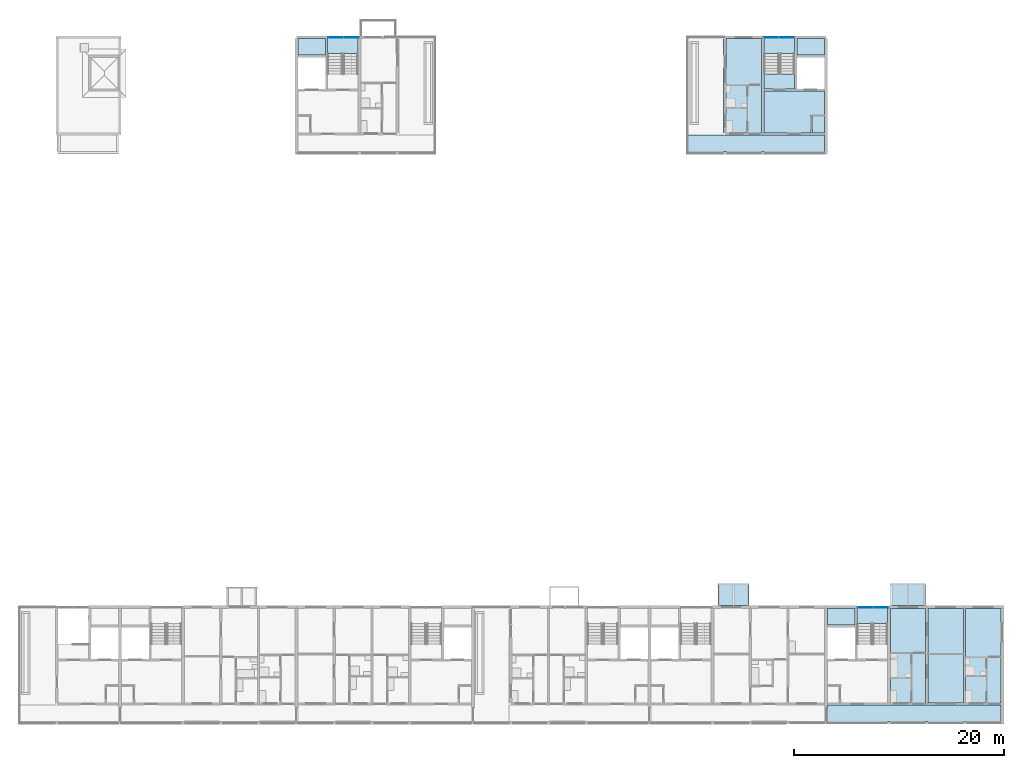
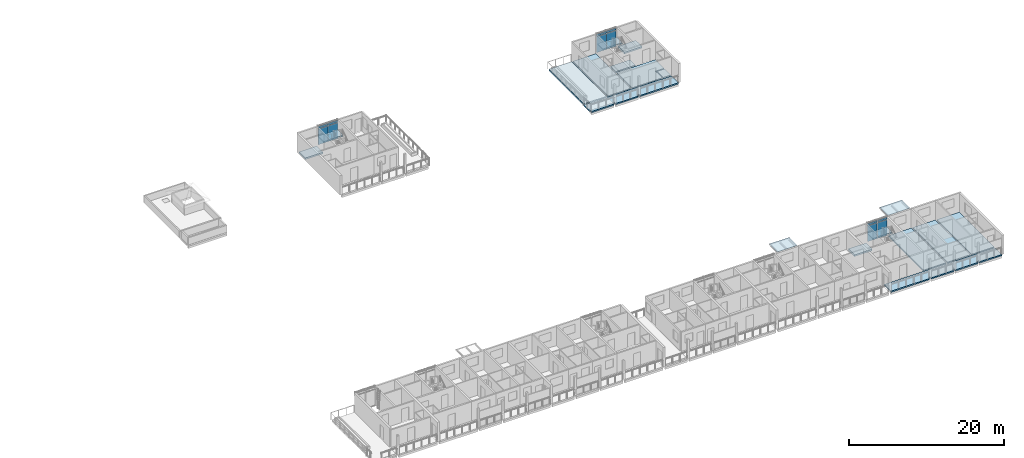
# One storey, part 22 of 64: 18 slabs, 12 plates, 6 elements without a shape of their own.
"""IFC4 building model written with IfcOpenShell, lengths in metres."""

from ifc_helpers import new_model, si_unit, direction, frame, origin, origin_2d, place, context, subcontext, project, spatial, polyline, rectangle, outline, extrude, material, layer, layer_set, type_object, element, aggregate, save


model = new_model("IFC4")

# Units and contexts
model_context = context("Model", 3, precision=1e-05, world=origin(), true_north=direction((0.0, 1.0)))
body_context = subcontext(model_context, "Body", "Model", "MODEL_VIEW")
ifc_project = project(units=[si_unit("LENGTHUNIT", "METRE"), si_unit("AREAUNIT", "SQUARE_METRE"), si_unit("VOLUMEUNIT", "CUBIC_METRE"), si_unit("PLANEANGLEUNIT", "RADIAN"), si_unit("MASSUNIT", "GRAM", prefix="KILO")], contexts=[model_context])

# Site, building, storey
site_placement = place(None, origin())
site = spatial("IfcSite", under=ifc_project, at=site_placement, CompositionType="ELEMENT")
building_placement = place(site_placement, origin())
building = spatial("IfcBuilding", under=site, at=building_placement, Name="Ridgestep Commons", CompositionType="ELEMENT")
storey_placement = place(building_placement, frame((0.0, 0.0, 33.0)))
storey = spatial("IfcBuildingStorey", under=building, at=storey_placement, Name="L11", CompositionType="ELEMENT", Elevation=33.0)

# Slabs
ifc_material_1 = material(Name="Precast concrete C40/50", Category="concrete")
ifc_layer_1 = layer(ifc_material_1, 0.199951171875)
ifc_layer_set_1 = layer_set([ifc_layer_1], Name="Gallery slab 200")
slab_type_1 = type_object("IfcSlabType", Name="Gallery slab 200", PredefinedType="FLOOR", material=ifc_layer_set_1)
slab_1_placement = place(storey_placement, frame((0.0, 0.0, -0.199951171875)))
element("IfcSlab", 1, at=slab_1_placement, inside=storey, type_object=slab_type_1, Name="Gallery slab C5 L11", PredefinedType="FLOOR", context=body_context, shape_type="SweptSolid", body=[
    extrude(outline(polyline([(230.64990234375, 66.0), (230.64990234375, 67.800048828125), (217.60009765625, 67.800048828125), (217.60009765625, 66.25), (217.72509765625, 66.25), (217.72509765625, 66.0), (221.074951171875, 66.0), (221.074951171875, 66.25), (221.324951171875, 66.25), (221.324951171875, 66.0), (224.675048828125, 66.0), (224.675048828125, 66.25), (224.925048828125, 66.25), (224.925048828125, 66.0), (230.64990234375, 66.0)])), origin(), (0.0, 0.0, 1.0), 0.199951171875),
])
slab_2_placement = place(storey_placement, frame((0.0, 0.0, -0.199951171875)))
element("IfcSlab", 2, at=slab_2_placement, inside=storey, type_object=slab_type_1, Name="Gallery slab D6 L11", PredefinedType="FLOOR", context=body_context, shape_type="SweptSolid", body=[
    extrude(outline(polyline([(247.449951171875, 13.550048828125), (230.949951171875, 13.550048828125), (230.949951171875, 11.75), (236.675048828125, 11.75), (236.675048828125, 12.0), (236.925048828125, 12.0), (236.925048828125, 11.75), (240.27490234375, 11.75), (240.27490234375, 12.0), (240.52490234375, 12.0), (240.52490234375, 11.75), (243.875, 11.75), (243.875, 12.0), (244.125, 12.0), (244.125, 11.75), (247.449951171875, 11.75), (247.449951171875, 13.550048828125)])), origin(), (0.0, 0.0, 1.0), 0.199951171875),
])

# Curtain wall, plates
ifc_material_2 = material(Name="Aluminium 6063-T6 and glass", Category="aluminium")
curtain_wall_type = type_object("IfcCurtainWallType", Name="Curtain wall stair strip", PredefinedType="NOTDEFINED", material=ifc_material_2)
curtain_wall_1_placement = place(storey_placement, origin())
curtain_wall_1 = element("IfcCurtainWall", 3, at=curtain_wall_1_placement, inside=storey, type_object=curtain_wall_type, Name="Curtain wall D6C level 11", PredefinedType="NOTDEFINED")
ifc_material_3 = material(Name="Glass laminated 6/16/6 low-emissivity", Category="glass")
ifc_layer_2 = layer(ifc_material_3, 0.028076171875)
ifc_layer_set_2 = layer_set([ifc_layer_2], Name="Glazing panel 28")
plate_type_1 = type_object("IfcPlateType", Name="Glazing panel 28", PredefinedType="CURTAIN_PANEL", material=ifc_layer_set_2)
plate_1_placement = place(storey_placement, frame((234.546142578125, 22.830078125, 0.06005859375), z_axis=(0.0, 0.0, 1.0), x_axis=(1.0, 0.0, 0.0)))
plate_1 = element("IfcPlate", 4, at=plate_1_placement, type_object=plate_type_1, Name="CW1 panel 1.1", PredefinedType="CURTAIN_PANEL", context=body_context, shape_type="SweptSolid", body=[
    extrude(rectangle(XDim=1.422607421875, YDim=0.028076171875, at=origin_2d()), origin(), (0.0, 0.0, 1.0), 2.5),
])
plate_2_placement = place(storey_placement, frame((236.02880859375, 22.830078125, 0.06005859375), z_axis=(0.0, 0.0, 1.0), x_axis=(1.0, 0.0, 0.0)))
plate_2 = element("IfcPlate", 5, at=plate_2_placement, type_object=plate_type_1, Name="CW1 panel 2.1", PredefinedType="CURTAIN_PANEL", context=body_context, shape_type="SweptSolid", body=[
    extrude(rectangle(XDim=1.422607421875, YDim=0.028076171875, at=origin_2d()), origin(), (0.0, 0.0, 1.0), 2.5),
])

curtain_wall_2_placement = place(storey_placement, origin())
curtain_wall_2 = element("IfcCurtainWall", 6, at=curtain_wall_2_placement, inside=storey, type_object=curtain_wall_type, Name="Curtain wall C3C level 11", PredefinedType="NOTDEFINED")
plate_3_placement = place(storey_placement, frame((184.146240234375, 77.080078125, 0.06005859375), z_axis=(0.0, 0.0, 1.0), x_axis=(1.0, 0.0, 0.0)))
plate_3 = element("IfcPlate", 7, at=plate_3_placement, type_object=plate_type_1, Name="CW1 panel 1.1", PredefinedType="CURTAIN_PANEL", context=body_context, shape_type="SweptSolid", body=[
    extrude(rectangle(XDim=1.422607421875, YDim=0.028076171875, at=origin_2d()), origin(), (0.0, 0.0, 1.0), 2.5),
])
plate_4_placement = place(storey_placement, frame((185.628662109375, 77.080078125, 0.06005859375), z_axis=(0.0, 0.0, 1.0), x_axis=(1.0, 0.0, 0.0)))
plate_4 = element("IfcPlate", 8, at=plate_4_placement, type_object=plate_type_1, Name="CW1 panel 2.1", PredefinedType="CURTAIN_PANEL", context=body_context, shape_type="SweptSolid", body=[
    extrude(rectangle(XDim=1.422607421875, YDim=0.028076171875, at=origin_2d()), origin(), (0.0, 0.0, 1.0), 2.5),
])

curtain_wall_3_placement = place(storey_placement, origin())
curtain_wall_3 = element("IfcCurtainWall", 9, at=curtain_wall_3_placement, inside=storey, type_object=curtain_wall_type, Name="Curtain wall C5C level 11", PredefinedType="NOTDEFINED")
plate_5_placement = place(storey_placement, frame((225.5712890625, 77.080078125, 0.06005859375), z_axis=(0.0, 0.0, 1.0), x_axis=(1.0, 0.0, 0.0)))
plate_5 = element("IfcPlate", 10, at=plate_5_placement, type_object=plate_type_1, Name="CW1 panel 1.1", PredefinedType="CURTAIN_PANEL", context=body_context, shape_type="SweptSolid", body=[
    extrude(rectangle(XDim=1.422607421875, YDim=0.028076171875, at=origin_2d()), origin(), (0.0, 0.0, 1.0), 2.5),
])
plate_6_placement = place(storey_placement, frame((227.0537109375, 77.080078125, 0.06005859375), z_axis=(0.0, 0.0, 1.0), x_axis=(1.0, 0.0, 0.0)))
plate_6 = element("IfcPlate", 11, at=plate_6_placement, type_object=plate_type_1, Name="CW1 panel 2.1", PredefinedType="CURTAIN_PANEL", context=body_context, shape_type="SweptSolid", body=[
    extrude(rectangle(XDim=1.422607421875, YDim=0.028076171875, at=origin_2d()), origin(), (0.0, 0.0, 1.0), 2.5),
])

# Slabs
ifc_material_4 = material(Name="Precast concrete C50/60", Category="concrete")
ifc_layer_3 = layer(ifc_material_4, 0.199951171875)
ifc_layer_set_3 = layer_set([ifc_layer_3], Name="Hollow-core plank 200")
slab_type_2 = type_object("IfcSlabType", Name="Hollow-core plank 200", PredefinedType="FLOOR", material=ifc_layer_set_3)
slab_3_placement = place(storey_placement, frame((0.0, 0.0, -0.199951171875)))
element("IfcSlab", 12, at=slab_3_placement, inside=storey, type_object=slab_type_2, Name="Floor plank C5T3 L11", PredefinedType="FLOOR", context=body_context, shape_type="SweptSolid", body=[
    extrude(outline(polyline([(224.675048828125, 68.0), (224.675048828125, 77.0), (221.300048828125, 77.0), (221.300048828125, 68.0), (224.675048828125, 68.0)])), origin(), (0.0, 0.0, 1.0), 0.199951171875),
])
slab_4_placement = place(storey_placement, frame((0.0, 0.0, -0.199951171875)))
element("IfcSlab", 13, at=slab_4_placement, inside=storey, type_object=slab_type_2, Name="Floor plank D6T3 L11", PredefinedType="FLOOR", context=body_context, shape_type="SweptSolid", body=[
    extrude(outline(polyline([(240.300048828125, 13.75), (240.300048828125, 22.75), (236.925048828125, 22.75), (236.925048828125, 13.75), (240.300048828125, 13.75)])), origin(), (0.0, 0.0, 1.0), 0.199951171875),
])
slab_5_placement = place(storey_placement, frame((0.0, 0.0, -0.199951171875)))
element("IfcSlab", 14, at=slab_5_placement, inside=storey, type_object=slab_type_2, Name="Floor plank D6T2 L11", PredefinedType="FLOOR", context=body_context, shape_type="SweptSolid", body=[
    extrude(outline(polyline([(243.89990234375, 13.75), (243.89990234375, 22.75), (240.5, 22.75), (240.5, 13.75), (243.89990234375, 13.75)])), origin(), (0.0, 0.0, 1.0), 0.199951171875),
])
slab_6_placement = place(storey_placement, frame((0.0, 0.0, -0.199951171875)))
element("IfcSlab", 15, at=slab_6_placement, inside=storey, type_object=slab_type_2, Name="Floor plank D6T1 L11", PredefinedType="FLOOR", context=body_context, shape_type="SweptSolid", body=[
    extrude(outline(polyline([(247.449951171875, 13.75), (247.449951171875, 22.75), (244.10009765625, 22.75), (244.10009765625, 13.75), (247.449951171875, 13.75)])), origin(), (0.0, 0.0, 1.0), 0.199951171875),
])
ifc_material_5 = material(Name="Precast concrete C50/60", Category="concrete")
ifc_layer_4 = layer(ifc_material_5, 0.25)
ifc_layer_set_4 = layer_set([ifc_layer_4], Name="Hollow-core plank 250")
slab_type_3 = type_object("IfcSlabType", Name="Hollow-core plank 250", PredefinedType="FLOOR", material=ifc_layer_set_4)
slab_7_placement = place(storey_placement, frame((0.0, 0.0, -0.25)))
element("IfcSlab", 16, at=slab_7_placement, inside=storey, type_object=slab_type_3, Name="Floor plank C3C L11", PredefinedType="FLOOR", context=body_context, shape_type="SweptSolid", body=[
    extrude(outline(polyline([(183.175048828125, 77.0), (180.550048828125, 77.0), (180.550048828125, 75.39990234375), (183.175048828125, 75.39990234375), (183.175048828125, 77.0)])), origin(), (0.0, 0.0, 1.0), 0.25),
])
slab_8_placement = place(storey_placement, frame((0.0, 0.0, -0.25)))
element("IfcSlab", 17, at=slab_8_placement, inside=storey, type_object=slab_type_3, Name="Floor plank C5C L11", PredefinedType="FLOOR", context=body_context, shape_type="SweptSolid", body=[
    extrude(outline(polyline([(229.52001953125, 69.719970703125), (230.64990234375, 69.719970703125), (230.64990234375, 72.0), (224.925048828125, 72.0), (224.925048828125, 68.0), (229.39990234375, 68.0), (229.39990234375, 69.719970703125), (229.52001953125, 69.719970703125)])), origin(), (0.0, 0.0, 1.0), 0.25),
])
slab_9_placement = place(storey_placement, frame((0.0, 0.0, -0.25)))
element("IfcSlab", 18, at=slab_9_placement, inside=storey, type_object=slab_type_3, Name="Floor plank C5C L11", PredefinedType="FLOOR", context=body_context, shape_type="SweptSolid", body=[
    extrude(outline(polyline([(230.64990234375, 75.39990234375), (230.64990234375, 77.0), (228.02490234375, 77.0), (228.02490234375, 75.39990234375), (230.64990234375, 75.39990234375)])), origin(), (0.0, 0.0, 1.0), 0.25),
])
slab_10_placement = place(storey_placement, frame((0.0, 0.0, -0.25)))
element("IfcSlab", 19, at=slab_10_placement, inside=storey, type_object=slab_type_3, Name="Floor plank C5C L11", PredefinedType="FLOOR", context=body_context, shape_type="SweptSolid", body=[
    extrude(outline(polyline([(227.824951171875, 72.199951171875), (227.824951171875, 73.60009765625), (224.925048828125, 73.60009765625), (224.925048828125, 72.199951171875), (227.824951171875, 72.199951171875)])), origin(), (0.0, 0.0, 1.0), 0.25),
])
slab_11_placement = place(storey_placement, frame((0.0, 0.0, -0.25)))
element("IfcSlab", 20, at=slab_11_placement, inside=storey, type_object=slab_type_3, Name="Floor plank C5C L11", PredefinedType="FLOOR", context=body_context, shape_type="SweptSolid", body=[
    extrude(outline(polyline([(229.52001953125, 68.0), (230.64990234375, 68.0), (230.64990234375, 69.60009765625), (229.52001953125, 69.60009765625), (229.52001953125, 68.0)])), origin(), (0.0, 0.0, 1.0), 0.25),
])
slab_12_placement = place(storey_placement, frame((0.0, 0.0, -0.25)))
element("IfcSlab", 21, at=slab_12_placement, inside=storey, type_object=slab_type_3, Name="Floor plank D6C L11", PredefinedType="FLOOR", context=body_context, shape_type="SweptSolid", body=[
    extrude(outline(polyline([(233.574951171875, 22.75), (230.949951171875, 22.75), (230.949951171875, 21.14990234375), (233.574951171875, 21.14990234375), (233.574951171875, 22.75)])), origin(), (0.0, 0.0, 1.0), 0.25),
])
ifc_material_6 = material(Name="Precast concrete C50/60", Category="concrete")
ifc_layer_5 = layer(ifc_material_6, 0.25)
ifc_layer_set_5 = layer_set([ifc_layer_5], Name="Roof slab 250")
slab_type_4 = type_object("IfcSlabType", Name="Roof slab 250", PredefinedType="ROOF", material=ifc_layer_set_5)
slab_13_placement = place(storey_placement, frame((0.0, 0.0, -0.25)))
element("IfcSlab", 22, at=slab_13_placement, inside=storey, type_object=slab_type_4, Name="Terrace slab C5T2", PredefinedType="ROOF", context=body_context, shape_type="SweptSolid", body=[
    extrude(outline(polyline([(221.10009765625, 68.0), (221.10009765625, 77.0), (217.699951171875, 77.0), (217.699951171875, 68.0), (221.10009765625, 68.0)])), origin(), (0.0, 0.0, 1.0), 0.25),
])

# Plate
ifc_material_7 = material(Name="Aluminium 6063-T6 and mineral wool", Category="aluminium")
ifc_layer_6 = layer(ifc_material_7, 0.0400390625)
ifc_layer_set_6 = layer_set([ifc_layer_6], Name="Spandrel panel 40")
plate_type_2 = type_object("IfcPlateType", Name="Spandrel panel 40", PredefinedType="CURTAIN_PANEL", material=ifc_layer_set_6)
plate_7_placement = place(storey_placement, frame((234.546142578125, 22.830078125, 2.6201171875), z_axis=(0.0, 0.0, 1.0), x_axis=(1.0, 0.0, 0.0)))
plate_7 = element("IfcPlate", 23, at=plate_7_placement, type_object=plate_type_2, Name="CW1 panel 1.2", PredefinedType="CURTAIN_PANEL", context=body_context, shape_type="SweptSolid", body=[
    extrude(rectangle(XDim=1.422607421875, YDim=0.0400390625, at=origin_2d()), origin(), (0.0, 0.0, 1.0), 0.320068359375),
])

plate_8_placement = place(storey_placement, frame((236.02880859375, 22.830078125, 2.6201171875), z_axis=(0.0, 0.0, 1.0), x_axis=(1.0, 0.0, 0.0)))
plate_8 = element("IfcPlate", 24, at=plate_8_placement, type_object=plate_type_2, Name="CW1 panel 2.2", PredefinedType="CURTAIN_PANEL", context=body_context, shape_type="SweptSolid", body=[
    extrude(rectangle(XDim=1.422607421875, YDim=0.0400390625, at=origin_2d()), origin(), (0.0, 0.0, 1.0), 0.320068359375),
])

aggregate(curtain_wall_1, [plate_1, plate_7, plate_2, plate_8])

plate_9_placement = place(storey_placement, frame((184.146240234375, 77.080078125, 2.6201171875), z_axis=(0.0, 0.0, 1.0), x_axis=(1.0, 0.0, 0.0)))
plate_9 = element("IfcPlate", 25, at=plate_9_placement, type_object=plate_type_2, Name="CW1 panel 1.2", PredefinedType="CURTAIN_PANEL", context=body_context, shape_type="SweptSolid", body=[
    extrude(rectangle(XDim=1.422607421875, YDim=0.0400390625, at=origin_2d()), origin(), (0.0, 0.0, 1.0), 0.320068359375),
])

plate_10_placement = place(storey_placement, frame((185.628662109375, 77.080078125, 2.6201171875), z_axis=(0.0, 0.0, 1.0), x_axis=(1.0, 0.0, 0.0)))
plate_10 = element("IfcPlate", 26, at=plate_10_placement, type_object=plate_type_2, Name="CW1 panel 2.2", PredefinedType="CURTAIN_PANEL", context=body_context, shape_type="SweptSolid", body=[
    extrude(rectangle(XDim=1.422607421875, YDim=0.0400390625, at=origin_2d()), origin(), (0.0, 0.0, 1.0), 0.320068359375),
])

aggregate(curtain_wall_2, [plate_3, plate_9, plate_4, plate_10])

plate_11_placement = place(storey_placement, frame((225.5712890625, 77.080078125, 2.6201171875), z_axis=(0.0, 0.0, 1.0), x_axis=(1.0, 0.0, 0.0)))
plate_11 = element("IfcPlate", 27, at=plate_11_placement, type_object=plate_type_2, Name="CW1 panel 1.2", PredefinedType="CURTAIN_PANEL", context=body_context, shape_type="SweptSolid", body=[
    extrude(rectangle(XDim=1.422607421875, YDim=0.0400390625, at=origin_2d()), origin(), (0.0, 0.0, 1.0), 0.320068359375),
])

plate_12_placement = place(storey_placement, frame((227.0537109375, 77.080078125, 2.6201171875), z_axis=(0.0, 0.0, 1.0), x_axis=(1.0, 0.0, 0.0)))
plate_12 = element("IfcPlate", 28, at=plate_12_placement, type_object=plate_type_2, Name="CW1 panel 2.2", PredefinedType="CURTAIN_PANEL", context=body_context, shape_type="SweptSolid", body=[
    extrude(rectangle(XDim=1.422607421875, YDim=0.0400390625, at=origin_2d()), origin(), (0.0, 0.0, 1.0), 0.320068359375),
])

aggregate(curtain_wall_3, [plate_5, plate_11, plate_6, plate_12])

# Stair, slab
ifc_material_8 = material(Name="Precast concrete C40/50", Category="concrete")
stair_type = type_object("IfcStairType", Name="Escape stair 1400", PredefinedType="HALF_TURN_STAIR", material=ifc_material_8)
stair_1_placement = place(storey_placement, origin())
stair_1 = element("IfcStair", 29, at=stair_1_placement, inside=storey, type_object=stair_type, Name="L11 Escape stair C3C", PredefinedType="HALF_TURN_STAIR")
ifc_material_9 = material(Name="Precast concrete C40/50", Category="concrete")
ifc_layer_7 = layer(ifc_material_9, 0.199951171875)
ifc_layer_set_7 = layer_set([ifc_layer_7], Name="Stair landing 200")
slab_type_5 = type_object("IfcSlabType", Name="Stair landing 200", PredefinedType="LANDING", material=ifc_layer_set_7)
slab_14_placement = place(storey_placement, frame((0.0, 0.0, 1.300048828125)))
slab_14 = element("IfcSlab", 30, at=slab_14_placement, type_object=slab_type_5, Name="C3C landing 1", PredefinedType="LANDING", context=body_context, shape_type="SweptSolid", body=[
    extrude(outline(polyline([(186.27490234375, 75.56005859375), (186.27490234375, 77.0), (183.375, 77.0), (183.375, 75.56005859375), (186.27490234375, 75.56005859375)])), origin(), (0.0, 0.0, 1.0), 0.199951171875),
])
aggregate(stair_1, [slab_14])

stair_2_placement = place(storey_placement, origin())
stair_2 = element("IfcStair", 31, at=stair_2_placement, inside=storey, type_object=stair_type, Name="L11 Escape stair C5C", PredefinedType="HALF_TURN_STAIR")
slab_15_placement = place(storey_placement, frame((0.0, 0.0, 1.300048828125)))
slab_15 = element("IfcSlab", 32, at=slab_15_placement, type_object=slab_type_5, Name="C5C landing 1", PredefinedType="LANDING", context=body_context, shape_type="SweptSolid", body=[
    extrude(outline(polyline([(227.824951171875, 75.56005859375), (227.824951171875, 77.0), (224.925048828125, 77.0), (224.925048828125, 75.56005859375), (227.824951171875, 75.56005859375)])), origin(), (0.0, 0.0, 1.0), 0.199951171875),
])
aggregate(stair_2, [slab_15])

stair_3_placement = place(storey_placement, origin())
stair_3 = element("IfcStair", 33, at=stair_3_placement, inside=storey, type_object=stair_type, Name="L11 Escape stair D6C", PredefinedType="HALF_TURN_STAIR")
slab_16_placement = place(storey_placement, frame((0.0, 0.0, 1.300048828125)))
slab_16 = element("IfcSlab", 34, at=slab_16_placement, type_object=slab_type_5, Name="D6C landing 1", PredefinedType="LANDING", context=body_context, shape_type="SweptSolid", body=[
    extrude(outline(polyline([(236.675048828125, 21.31005859375), (236.675048828125, 22.75), (233.77490234375, 22.75), (233.77490234375, 21.31005859375), (236.675048828125, 21.31005859375)])), origin(), (0.0, 0.0, 1.0), 0.199951171875),
])
aggregate(stair_3, [slab_16])

# Slabs
ifc_material_10 = material(Name="Weathering steel S355J2W", Category="steel")
ifc_layer_8 = layer(ifc_material_10, 0.010009765625)
ifc_layer_set_8 = layer_set([ifc_layer_8], Name="Tray 3.0 x 2.1")
slab_type_6 = type_object("IfcSlabType", Name="Tray 3.0 x 2.1", PredefinedType="FLOOR", material=ifc_layer_set_8)
slab_17_placement = place(storey_placement, frame((0.0, 0.0, 2.989990234375)))
element("IfcSlab", 35, at=slab_17_placement, inside=storey, type_object=slab_type_6, Name="Tray deck D5T3-12", PredefinedType="FLOOR", context=body_context, shape_type="SweptSolid", body=[
    extrude(outline(polyline([(220.530029296875, 23.0), (223.469970703125, 23.0), (223.469970703125, 25.10009765625), (220.530029296875, 25.10009765625), (220.530029296875, 23.0)])), origin(), (0.0, 0.0, 1.0), 0.010009765625),
])
ifc_material_11 = material(Name="Weathering steel S355J2W", Category="steel")
ifc_layer_9 = layer(ifc_material_11, 0.010009765625)
ifc_layer_set_9 = layer_set([ifc_layer_9], Name="Tray 3.4 x 2.1")
slab_type_7 = type_object("IfcSlabType", Name="Tray 3.4 x 2.1", PredefinedType="FLOOR", material=ifc_layer_set_9)
slab_18_placement = place(storey_placement, frame((0.0, 0.0, 2.989990234375)))
element("IfcSlab", 36, at=slab_18_placement, inside=storey, type_object=slab_type_7, Name="Tray deck D6T3-12", PredefinedType="FLOOR", context=body_context, shape_type="SweptSolid", body=[
    extrude(outline(polyline([(236.929931640625, 23.0), (240.27001953125, 23.0), (240.27001953125, 25.10009765625), (236.929931640625, 25.10009765625), (236.929931640625, 23.0)])), origin(), (0.0, 0.0, 1.0), 0.010009765625),
])

save(model, "model.ifc")
